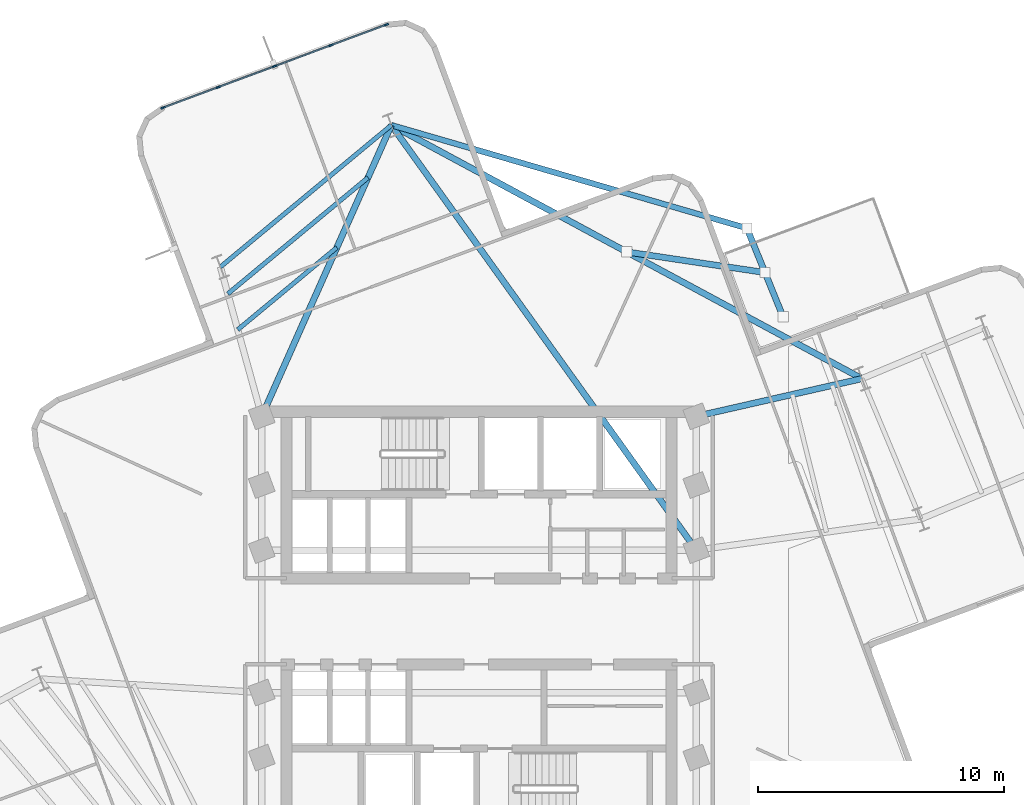
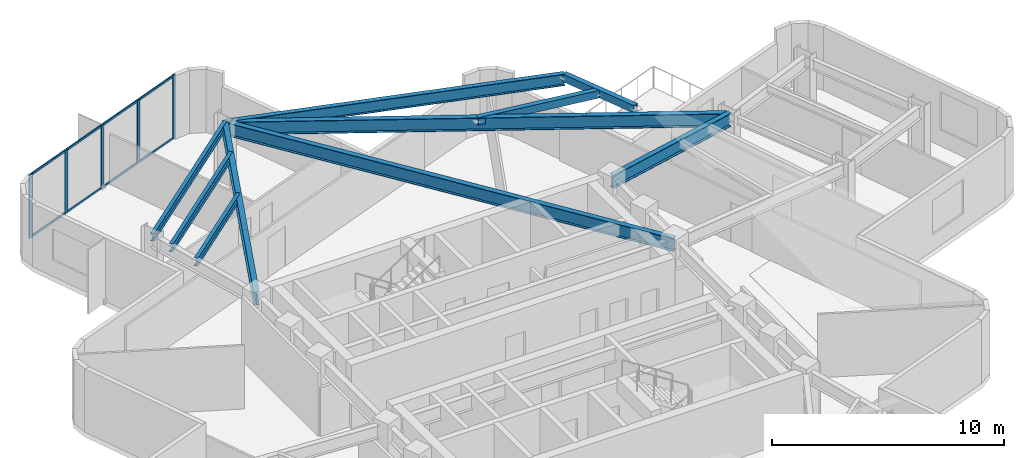
# One storey, part 4 of 11: 13 members, 10 beams, 1 element without a shape of its own.
"""IFC4 building model written with IfcOpenShell, lengths in metres."""

from ifc_helpers import new_model, si_unit, direction, frame, origin, origin_2d, place, context, subcontext, project, spatial, rectangle, hollow_rectangle, i_section, extrude, material, layer, layer_set, material_profile, profile_set, type_object, element, aggregate, save


model = new_model("IFC4")

# Units and contexts
model_context = context("Model", 3, precision=1e-05, world=origin(), true_north=direction((0.0, 1.0)))
body_context = subcontext(model_context, "Body", "Model", "MODEL_VIEW")
ifc_project = project(units=[si_unit("LENGTHUNIT", "METRE"), si_unit("AREAUNIT", "SQUARE_METRE"), si_unit("VOLUMEUNIT", "CUBIC_METRE"), si_unit("PLANEANGLEUNIT", "RADIAN"), si_unit("MASSUNIT", "GRAM", prefix="KILO")], contexts=[model_context])

# Site, building, storey
site_placement = place(None, origin())
site = spatial("IfcSite", under=ifc_project, at=site_placement, CompositionType="ELEMENT")
building_placement = place(site_placement, origin())
building = spatial("IfcBuilding", under=site, at=building_placement, Name="Solmarez Civic Tower", CompositionType="ELEMENT")
storey_placement = place(building_placement, frame((0.0, 0.0, 170.280029296875)))
storey = spatial("IfcBuildingStorey", under=building, at=storey_placement, Name="L45", CompositionType="ELEMENT", Elevation=170.280029296875)

# Beams
ifc_material_1 = material(Name="Steel S355", Category="steel")
ifc_material_profile_1 = material_profile(ifc_material_1, i_section(OverallWidth=0.178955078125, OverallDepth=0.409912109375, WebThickness=0.0087890625, FlangeThickness=0.014404296875, at=origin_2d()), Name="W16X45")
ifc_profile_set_1 = profile_set([ifc_material_profile_1], Name="Steel S355")
beam_type_1 = type_object("IfcBeamType", Name="BM-JS-W16X45", PredefinedType="JOIST", material=ifc_profile_set_1)
beam_1_placement = place(storey_placement, frame((-3.570068359375, 20.20703125, 3.135009765625), z_axis=(-0.769767664309, -0.638324167633, 0.0), x_axis=(0.638324167633, -0.769767664309, 0.0)))
element("IfcBeam", 1, at=beam_1_placement, inside=storey, type_object=beam_type_1, Name="L45 Secondary Floor Joist BM-L45-NA-T1", PredefinedType="JOIST", context=body_context, shape_type="SweptSolid", body=[
    extrude(i_section(OverallWidth=0.178955078125, OverallDepth=0.409912109375, WebThickness=0.0087890625, FlangeThickness=0.014404296875, at=origin_2d()), origin(), (0.0, 0.0, 1.0), 9.04541015625),
])
beam_2_placement = place(storey_placement, frame((-5.7880859375, 15.22705078125, 3.135009765625), z_axis=(-0.76969549019, -0.63841119381, 0.0), x_axis=(0.63841119381, -0.76969549019, 0.0)))
element("IfcBeam", 2, at=beam_2_placement, inside=storey, type_object=beam_type_1, Name="L45 Secondary Floor Joist JS-L45-NA-M11", PredefinedType="JOIST", context=body_context, shape_type="SweptSolid", body=[
    extrude(i_section(OverallWidth=0.178955078125, OverallDepth=0.409912109375, WebThickness=0.0087890625, FlangeThickness=0.014404296875, at=origin_2d()), origin(), (0.0, 0.0, 1.0), 5.24609375),
])
beam_3_placement = place(storey_placement, frame((-4.52001953125, 18.072998046875, 3.135009765625), z_axis=(-0.769756777075, -0.638337296535, 0.0), x_axis=(0.638337296535, -0.769756777075, 0.0)))
element("IfcBeam", 3, at=beam_3_placement, inside=storey, type_object=beam_type_1, Name="L45 Secondary Floor Joist JS-L45-NA-M12", PredefinedType="JOIST", context=body_context, shape_type="SweptSolid", body=[
    extrude(i_section(OverallWidth=0.178955078125, OverallDepth=0.409912109375, WebThickness=0.0087890625, FlangeThickness=0.014404296875, at=origin_2d()), origin(), (0.0, 0.0, 1.0), 7.41796875),
])
ifc_material_profile_2 = material_profile(ifc_material_1, i_section(OverallWidth=0.25390625, OverallDepth=0.68798828125, WebThickness=0.01318359375, FlangeThickness=0.02099609375, at=origin_2d()), Name="W27X102")
ifc_profile_set_2 = profile_set([ifc_material_profile_2], Name="Steel S355")
beam_type_2 = type_object("IfcBeamType", Name="BM-PR-W27X102", PredefinedType="BEAM", material=ifc_profile_set_2)
beam_4_placement = place(storey_placement, frame((8.85009765625, 8.35009765625, 2.995849609375), z_axis=(0.975124879448, 0.221656196577, 0.0), x_axis=(-0.221656196577, 0.975124879448, 0.0)))
element("IfcBeam", 4, at=beam_4_placement, inside=storey, type_object=beam_type_2, Name="L45 Primary Floor Beam BM-L45-EA-R1B", PredefinedType="BEAM", context=body_context, shape_type="SweptSolid", body=[
    extrude(i_section(OverallWidth=0.25390625, OverallDepth=0.68798828125, WebThickness=0.01318359375, FlangeThickness=0.02099609375, at=origin_2d()), origin(), (0.0, 0.0, 1.0), 6.916015625),
])
beam_5_placement = place(storey_placement, frame((-8.85009765625, 8.35009765625, 2.995849609375), z_axis=(0.406799805731, 0.9135173332, 0.0), x_axis=(-0.9135173332, 0.406799805731, 0.0)))
element("IfcBeam", 5, at=beam_5_placement, inside=storey, type_object=beam_type_2, Name="L45 Primary Floor Beam BM-L45-NA-R1A", PredefinedType="BEAM", context=body_context, shape_type="SweptSolid", body=[
    extrude(i_section(OverallWidth=0.25390625, OverallDepth=0.68798828125, WebThickness=0.01318359375, FlangeThickness=0.02099609375, at=origin_2d()), origin(), (0.0, 0.0, 1.0), 12.9794921875),
])
beam_6_placement = place(storey_placement, frame((15.593994140625, 9.883056640625, 2.995849609375), z_axis=(-0.880377808395, 0.474273037908, 0.0), x_axis=(-0.474273037908, -0.880377808395, 0.0)))
element("IfcBeam", 6, at=beam_6_placement, inside=storey, type_object=beam_type_2, Name="L45 Primary Floor Beam BM-L45-BALC-NEC", PredefinedType="BEAM", context=body_context, shape_type="SweptSolid", body=[
    extrude(i_section(OverallWidth=0.25390625, OverallDepth=0.68798828125, WebThickness=0.01318359375, FlangeThickness=0.02099609375, at=origin_2d()), origin(), (0.0, 0.0, 1.0), 21.76806640625),
])
beam_7_placement = place(storey_placement, frame((8.85009765625, 2.89990234375, 2.995849609375), z_axis=(-0.583037485984, 0.812445253502, 0.0), x_axis=(-0.812445253502, -0.583037485984, 0.0)))
element("IfcBeam", 7, at=beam_7_placement, inside=storey, type_object=beam_type_2, Name="L45 Primary Floor Beam BM-L45-BALC-NETIE", PredefinedType="BEAM", context=body_context, shape_type="SweptSolid", body=[
    extrude(i_section(OverallWidth=0.25390625, OverallDepth=0.68798828125, WebThickness=0.01318359375, FlangeThickness=0.02099609375, at=origin_2d()), origin(), (0.0, 0.0, 1.0), 21.302490234375),
])
ifc_material_profile_3 = material_profile(ifc_material_1, hollow_rectangle(XDim=0.25, YDim=0.39990234375, WallThickness=0.01611328125, at=origin_2d()), Name="HSS400X250X16")
ifc_profile_set_3 = profile_set([ifc_material_profile_3], Name="Steel S355")
beam_type_3 = type_object("IfcBeamType", Name="BM-SP-HSS400X250", PredefinedType="SPANDREL", material=ifc_profile_set_3)
beam_8_placement = place(storey_placement, frame((12.383056640625, 12.39794921875, 3.139892578125), z_axis=(-0.377728344413, 0.925916463741, 0.0), x_axis=(-0.925916463741, -0.377728344413, 0.0)))
element("IfcBeam", 8, at=beam_8_placement, inside=storey, type_object=beam_type_3, Name="L45 Perimeter Spandrel Beam BM-L45-BALC-NEE", PredefinedType="SPANDREL", context=body_context, shape_type="SweptSolid", body=[
    extrude(hollow_rectangle(XDim=0.25, YDim=0.39990234375, WallThickness=0.01611328125, at=origin_2d()), origin(), (0.0, 0.0, 1.0), 3.89990234375),
])
beam_9_placement = place(storey_placement, frame((6.011962890625, 15.044921875, 3.139892578125), z_axis=(0.989046421667, -0.147604795954, 0.0), x_axis=(0.147604795954, 0.989046421667, 0.0)))
element("IfcBeam", 9, at=beam_9_placement, inside=storey, type_object=beam_type_3, Name="L45 Perimeter Spandrel Beam BM-L45-BALC-NEM", PredefinedType="SPANDREL", context=body_context, shape_type="SweptSolid", body=[
    extrude(hollow_rectangle(XDim=0.25, YDim=0.39990234375, WallThickness=0.01611328125, at=origin_2d()), origin(), (0.0, 0.0, 1.0), 5.696533203125),
])
ifc_material_profile_4 = material_profile(ifc_material_1, i_section(OverallWidth=0.22900390625, OverallDepth=0.612060546875, WebThickness=0.011962890625, FlangeThickness=0.01953125, at=origin_2d()), Name="W24X84")
ifc_profile_set_4 = profile_set([ifc_material_profile_4], Name="Steel S355")
beam_type_4 = type_object("IfcBeamType", Name="BM-SP-W24X84", PredefinedType="SPANDREL", material=ifc_profile_set_4)
beam_10_placement = place(storey_placement, frame((-3.570068359375, 20.20703125, 3.033935546875), z_axis=(0.960450362164, -0.278451255731, 0.0), x_axis=(0.278451255731, 0.960450362164, 0.0)))
element("IfcBeam", 10, at=beam_10_placement, inside=storey, type_object=beam_type_4, Name="L45 Perimeter Spandrel Beam BM-L45-BALC-NE2", PredefinedType="SPANDREL", context=body_context, shape_type="SweptSolid", body=[
    extrude(i_section(OverallWidth=0.22900390625, OverallDepth=0.612060546875, WebThickness=0.011962890625, FlangeThickness=0.01953125, at=origin_2d()), origin(), (0.0, 0.0, 1.0), 15.076171875),
])

# Curtain wall, members
ifc_material_2 = material(Name="Bronze Anodised Aluminium EN AW-6063 T6", Category="aluminium")
ifc_layer = layer(ifc_material_2, 0.155029296875)
ifc_layer_set = layer_set([ifc_layer], Name="Bronze Anodised Aluminium EN AW-6063 T6")
curtain_wall_type = type_object("IfcCurtainWallType", Name="CW-SYS-6", PredefinedType="NOTDEFINED", material=ifc_layer_set)
curtain_wall_placement = place(storey_placement, origin())
curtain_wall = element("IfcCurtainWall", 11, at=curtain_wall_placement, inside=storey, type_object=curtain_wall_type, Name="L45 Stick-Built Curtain Wall 2", PredefinedType="NOTDEFINED")
ifc_material_profile_5 = material_profile(ifc_material_2, rectangle(XDim=0.070068359375, YDim=0.179931640625, at=origin_2d()), Name="CWM-70X180")
ifc_profile_set_5 = profile_set([ifc_material_profile_5], Name="Bronze Anodised Aluminium EN AW-6063 T6")
member_type_1 = type_object("IfcMemberType", Name="CWM-TYPE-2", PredefinedType="MULLION", material=ifc_profile_set_5)
member_1_placement = place(storey_placement, frame((-12.872314453125, 20.914306640625, 0.0), z_axis=(0.0, 0.0, 1.0), x_axis=(-0.348679403709, 0.93724205701, 0.0)))
member_1 = element("IfcMember", 12, at=member_1_placement, type_object=member_type_1, Name="CWS6 mullion 1", PredefinedType="MULLION", context=body_context, shape_type="SweptSolid", body=[
    extrude(rectangle(XDim=0.070068359375, YDim=0.179931640625, at=origin_2d()), origin(), (0.0, 0.0, 1.0), 3.340087890625),
])
member_2_placement = place(storey_placement, frame((-10.613525390625, 21.75439453125, 0.0), z_axis=(0.0, 0.0, 1.0), x_axis=(-0.348679403709, 0.93724205701, 0.0)))
member_2 = element("IfcMember", 13, at=member_2_placement, type_object=member_type_1, Name="CWS6 mullion 2", PredefinedType="MULLION", context=body_context, shape_type="SweptSolid", body=[
    extrude(rectangle(XDim=0.070068359375, YDim=0.179931640625, at=origin_2d()), origin(), (0.0, 0.0, 1.0), 3.340087890625),
])
member_3_placement = place(storey_placement, frame((-8.322021484375, 22.60693359375, 0.0), z_axis=(0.0, 0.0, 1.0), x_axis=(-0.348679403709, 0.93724205701, 0.0)))
member_3 = element("IfcMember", 14, at=member_3_placement, type_object=member_type_1, Name="CWS6 mullion 3", PredefinedType="MULLION", context=body_context, shape_type="SweptSolid", body=[
    extrude(rectangle(XDim=0.070068359375, YDim=0.179931640625, at=origin_2d()), origin(), (0.0, 0.0, 1.0), 3.340087890625),
])
member_4_placement = place(storey_placement, frame((-6.030517578125, 23.45947265625, 0.0), z_axis=(0.0, 0.0, 1.0), x_axis=(-0.348679403709, 0.93724205701, 0.0)))
member_4 = element("IfcMember", 15, at=member_4_placement, type_object=member_type_1, Name="CWS6 mullion 4", PredefinedType="MULLION", context=body_context, shape_type="SweptSolid", body=[
    extrude(rectangle(XDim=0.070068359375, YDim=0.179931640625, at=origin_2d()), origin(), (0.0, 0.0, 1.0), 3.340087890625),
])
member_5_placement = place(storey_placement, frame((-3.771728515625, 24.2998046875, 0.0), z_axis=(0.0, 0.0, 1.0), x_axis=(-0.348679403709, 0.93724205701, 0.0)))
member_5 = element("IfcMember", 16, at=member_5_placement, type_object=member_type_1, Name="CWS6 mullion 5", PredefinedType="MULLION", context=body_context, shape_type="SweptSolid", body=[
    extrude(rectangle(XDim=0.070068359375, YDim=0.179931640625, at=origin_2d()), origin(), (0.0, 0.0, 1.0), 3.340087890625),
])
ifc_material_profile_6 = material_profile(ifc_material_2, rectangle(XDim=0.06005859375, YDim=0.110107421875, at=origin_2d()), Name="CWT-60X110")
ifc_profile_set_6 = profile_set([ifc_material_profile_6], Name="Bronze Anodised Aluminium EN AW-6063 T6")
member_type_2 = type_object("IfcMemberType", Name="CWT-TYPE-3", PredefinedType="USERDEFINED", material=ifc_profile_set_6)
member_6_placement = place(storey_placement, frame((-12.83935546875, 20.926513671875, 0.030029296875), z_axis=(0.937273390516, 0.348595168398, 0.0), x_axis=(-0.348595168398, 0.937273390516, 0.0)))
member_6 = element("IfcMember", 17, at=member_6_placement, type_object=member_type_2, Name="CWS6 transom 1.1", ObjectType="TRANSOM", PredefinedType="USERDEFINED", context=body_context, shape_type="SweptSolid", body=[
    extrude(rectangle(XDim=0.06005859375, YDim=0.110107421875, at=origin_2d()), origin(), (0.0, 0.0, 1.0), 2.33984375),
])
member_7_placement = place(storey_placement, frame((-12.83935546875, 20.926513671875, 3.31005859375), z_axis=(0.937273390516, 0.348595168398, 0.0), x_axis=(-0.348595168398, 0.937273390516, 0.0)))
member_7 = element("IfcMember", 18, at=member_7_placement, type_object=member_type_2, Name="CWS6 transom 1.2", ObjectType="TRANSOM", PredefinedType="USERDEFINED", context=body_context, shape_type="SweptSolid", body=[
    extrude(rectangle(XDim=0.06005859375, YDim=0.110107421875, at=origin_2d()), origin(), (0.0, 0.0, 1.0), 2.33984375),
])
member_8_placement = place(storey_placement, frame((-10.580810546875, 21.7666015625, 0.030029296875), z_axis=(0.937246850506, 0.348666518635, 0.0), x_axis=(-0.348666518635, 0.937246850506, 0.0)))
member_8 = element("IfcMember", 19, at=member_8_placement, type_object=member_type_2, Name="CWS6 transom 2.1", ObjectType="TRANSOM", PredefinedType="USERDEFINED", context=body_context, shape_type="SweptSolid", body=[
    extrude(rectangle(XDim=0.06005859375, YDim=0.110107421875, at=origin_2d()), origin(), (0.0, 0.0, 1.0), 2.375),
])
member_9_placement = place(storey_placement, frame((-10.580810546875, 21.7666015625, 3.31005859375), z_axis=(0.937246850506, 0.348666518635, 0.0), x_axis=(-0.348666518635, 0.937246850506, 0.0)))
member_9 = element("IfcMember", 20, at=member_9_placement, type_object=member_type_2, Name="CWS6 transom 2.2", ObjectType="TRANSOM", PredefinedType="USERDEFINED", context=body_context, shape_type="SweptSolid", body=[
    extrude(rectangle(XDim=0.06005859375, YDim=0.110107421875, at=origin_2d()), origin(), (0.0, 0.0, 1.0), 2.375),
])
member_10_placement = place(storey_placement, frame((-8.289306640625, 22.619140625, 0.030029296875), z_axis=(0.937246850506, 0.348666518635, 0.0), x_axis=(-0.348666518635, 0.937246850506, 0.0)))
member_10 = element("IfcMember", 21, at=member_10_placement, type_object=member_type_2, Name="CWS6 transom 3.1", ObjectType="TRANSOM", PredefinedType="USERDEFINED", context=body_context, shape_type="SweptSolid", body=[
    extrude(rectangle(XDim=0.06005859375, YDim=0.110107421875, at=origin_2d()), origin(), (0.0, 0.0, 1.0), 2.375),
])
member_11_placement = place(storey_placement, frame((-8.289306640625, 22.619140625, 3.31005859375), z_axis=(0.937246850506, 0.348666518635, 0.0), x_axis=(-0.348666518635, 0.937246850506, 0.0)))
member_11 = element("IfcMember", 22, at=member_11_placement, type_object=member_type_2, Name="CWS6 transom 3.2", ObjectType="TRANSOM", PredefinedType="USERDEFINED", context=body_context, shape_type="SweptSolid", body=[
    extrude(rectangle(XDim=0.06005859375, YDim=0.110107421875, at=origin_2d()), origin(), (0.0, 0.0, 1.0), 2.375),
])
member_12_placement = place(storey_placement, frame((-5.997802734375, 23.4716796875, 0.030029296875), z_axis=(0.93723929684, 0.348686822892, 0.0), x_axis=(-0.348686822892, 0.93723929684, 0.0)))
member_12 = element("IfcMember", 23, at=member_12_placement, type_object=member_type_2, Name="CWS6 transom 4.1", ObjectType="TRANSOM", PredefinedType="USERDEFINED", context=body_context, shape_type="SweptSolid", body=[
    extrude(rectangle(XDim=0.06005859375, YDim=0.110107421875, at=origin_2d()), origin(), (0.0, 0.0, 1.0), 2.340087890625),
])
member_13_placement = place(storey_placement, frame((-5.997802734375, 23.4716796875, 3.31005859375), z_axis=(0.93723929684, 0.348686822892, 0.0), x_axis=(-0.348686822892, 0.93723929684, 0.0)))
member_13 = element("IfcMember", 24, at=member_13_placement, type_object=member_type_2, Name="CWS6 transom 4.2", ObjectType="TRANSOM", PredefinedType="USERDEFINED", context=body_context, shape_type="SweptSolid", body=[
    extrude(rectangle(XDim=0.06005859375, YDim=0.110107421875, at=origin_2d()), origin(), (0.0, 0.0, 1.0), 2.340087890625),
])
aggregate(curtain_wall, [member_1, member_2, member_3, member_4, member_5, member_6, member_7, member_8, member_9, member_10, member_11, member_12, member_13])

save(model, "model.ifc")
